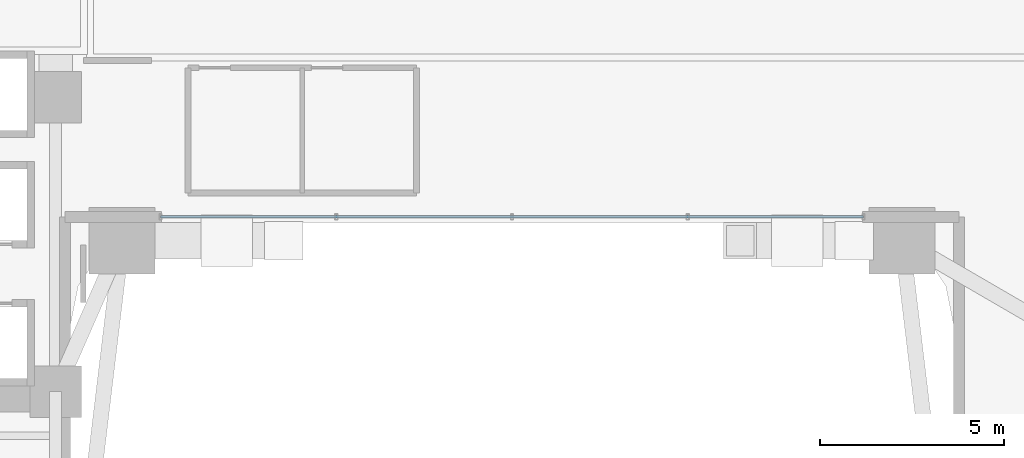
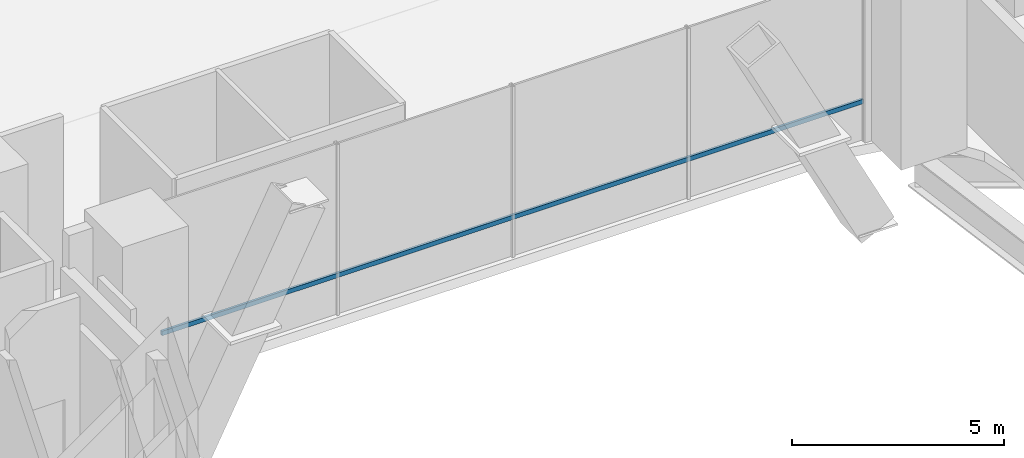
# One storey, part 9 of 39: 1 member, 1 element without a shape of its own.
"""IFC4 building model written with IfcOpenShell, lengths in metres."""

from ifc_helpers import new_model, si_unit, direction, frame, origin, origin_2d, place, context, subcontext, project, spatial, hollow_rectangle, extrude, source, transform, mapped, material, material_profile, profile_set, type_object, element, aggregate, save


model = new_model("IFC4")

# Units and contexts
model_context = context("Model", 3, precision=1e-05, world=origin(), true_north=direction((0.0, 1.0)))
body_context = subcontext(model_context, "Body", "Model", "MODEL_VIEW")
ifc_project = project(units=[si_unit("LENGTHUNIT", "METRE"), si_unit("AREAUNIT", "SQUARE_METRE"), si_unit("VOLUMEUNIT", "CUBIC_METRE"), si_unit("PLANEANGLEUNIT", "RADIAN"), si_unit("MASSUNIT", "GRAM", prefix="KILO")], contexts=[model_context])

# Site, building, storey
site_placement = place(None, origin())
site = spatial("IfcSite", under=ifc_project, at=site_placement, CompositionType="ELEMENT")
building_placement = place(site_placement, origin())
building = spatial("IfcBuilding", under=site, at=building_placement, Name="Valdorenza Pilgrim Sanctuary Tower", CompositionType="ELEMENT")
storey_placement = place(building_placement, frame((0.0, 0.0, 10.39990234375)))
storey = spatial("IfcBuildingStorey", under=building, at=storey_placement, Name="L02", CompositionType="ELEMENT", Elevation=10.39990234375)

# Curtain wall, member
ifc_material_1 = material(Name="Curtain-wall IGU glazing", Category="glass")
curtain_wall_type = type_object("IfcCurtainWallType", Name="CW-SYS-01", PredefinedType="NOTDEFINED", material=ifc_material_1)
curtain_wall_placement = place(storey_placement, origin())
curtain_wall = element("IfcCurtainWall", 1, at=curtain_wall_placement, inside=storey, type_object=curtain_wall_type, Name="L02 Curtain Wall CW-POD-L02-ARCH-BACK", PredefinedType="NOTDEFINED")
ifc_material_2 = material(Name="Anodised aluminium AW-6060", Category="aluminium")
ifc_material_profile = material_profile(ifc_material_2, hollow_rectangle(XDim=0.06494140625, YDim=0.1298828125, WallThickness=0.00341796875, at=origin_2d()), Name="ALU-T 130x65x3.5")
ifc_profile_set = profile_set([ifc_material_profile], Name="Anodised aluminium AW-6060")
member_type = type_object("IfcMemberType", Name="CW-TRN-01", PredefinedType="USERDEFINED", material=ifc_profile_set)
shared_shape = source(origin(), body_context, "Body", "SweptSolid", [
    extrude(hollow_rectangle(XDim=0.06494140625, YDim=0.1298828125, WallThickness=0.00341796875, at=origin_2d()), origin(), (0.0, 0.0, 1.0), 19.10009765625),
])
member_placement = place(storey_placement, frame((-9.550048828125, -5.85009765625, 1.1201171875), z_axis=(1.0, 0.0, 0.0), x_axis=(0.0, 1.0, 0.0)))
member = element("IfcMember", 2, at=member_placement, type_object=member_type, Name="CW-POD-L02-ARCH-BACK Transom 1", ObjectType="TRANSOM", PredefinedType="USERDEFINED", context=body_context, shape_type="MappedRepresentation", body=[
    mapped(shared_shape, transform((0.0, 0.0, 0.0), x_axis=(1.0, 0.0, 0.0), y_axis=(0.0, 1.0, 0.0), z_axis=(0.0, 0.0, 1.0), scale=1.0)),
])
aggregate(curtain_wall, [member])

save(model, "model.ifc")
